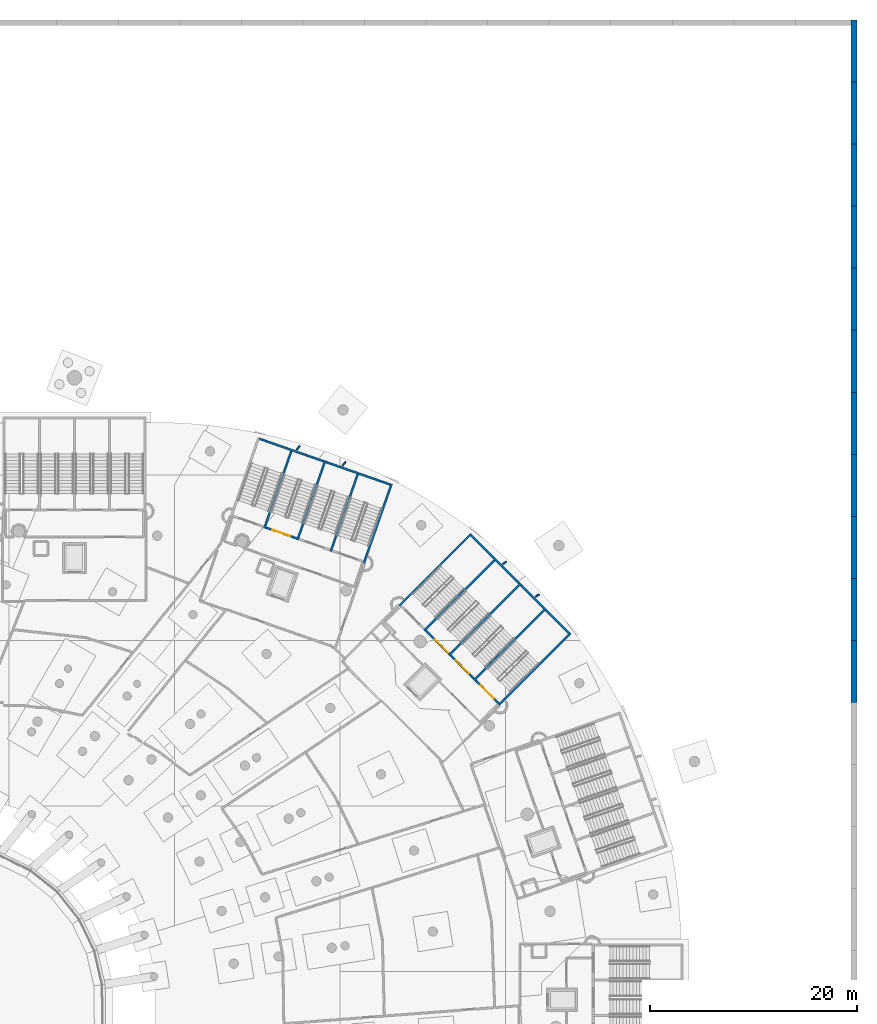
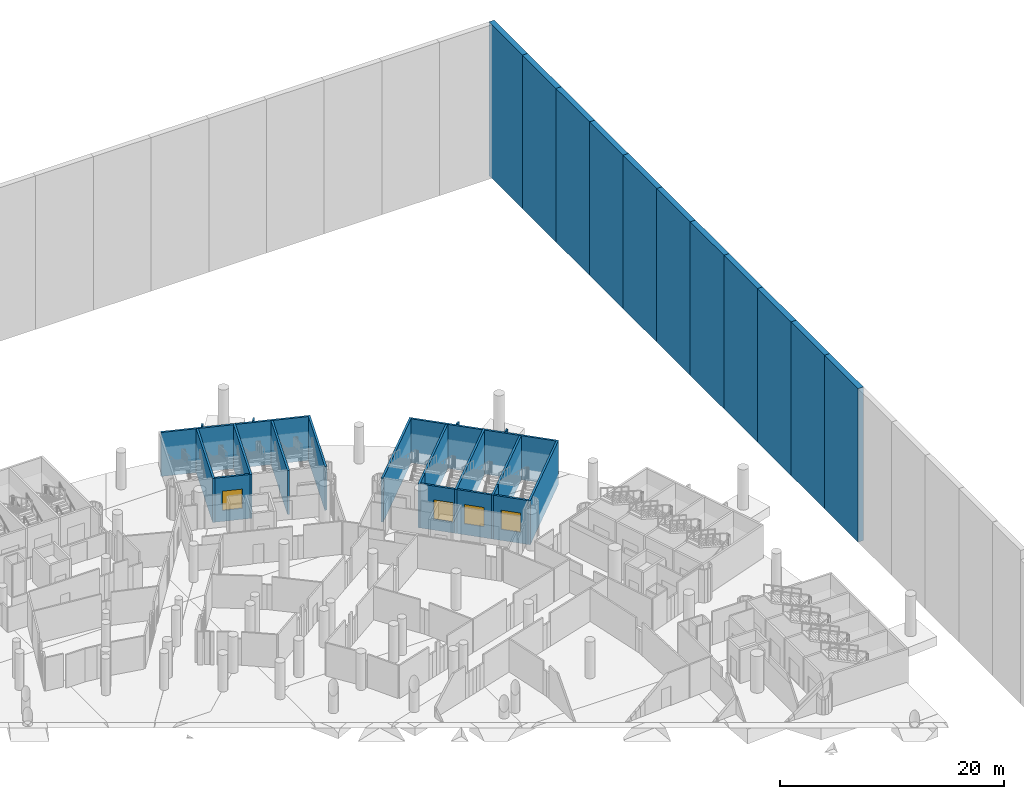
# One storey, part 93 of 142: 34 walls, 4 doors, 4 openings.
"""IFC4 building model written with IfcOpenShell, lengths in metres."""

from ifc_helpers import new_model, si_unit, direction, frame, frame_2d, origin, place, context, subcontext, project, spatial, rectangle, extrude, material, layer, layer_set, type_object, element, fill, save


model = new_model("IFC4")

# Units and contexts
model_context = context("Model", 3, precision=1e-05, world=origin(), true_north=direction((0.0, 1.0)))
body_context = subcontext(model_context, "Body", "Model", "MODEL_VIEW")
ifc_project = project(units=[si_unit("LENGTHUNIT", "METRE"), si_unit("AREAUNIT", "SQUARE_METRE"), si_unit("VOLUMEUNIT", "CUBIC_METRE"), si_unit("PLANEANGLEUNIT", "RADIAN"), si_unit("MASSUNIT", "GRAM", prefix="KILO")], contexts=[model_context])

# Site, building, storey
site_placement = place(None, origin())
site = spatial("IfcSite", under=ifc_project, at=site_placement, CompositionType="ELEMENT")
building_placement = place(site_placement, origin())
building = spatial("IfcBuilding", under=site, at=building_placement, Name="Meseta Stadium", CompositionType="ELEMENT")
storey_placement = place(building_placement, frame((0.0, 0.0, -4.0)))
storey = spatial("IfcBuildingStorey", under=building, at=storey_placement, Name="B1", CompositionType="ELEMENT", Elevation=-4.0)

# Walls
ifc_material_1 = material(Name="Concrete C40/50", Category="concrete")
ifc_layer_1 = layer(ifc_material_1, 0.199951171875)
ifc_layer_set_1 = layer_set([ifc_layer_1], Name="Core divider wall 200")
wall_type_1 = type_object("IfcWallType", Name="Core divider wall 200", PredefinedType="SHEAR", material=ifc_layer_set_1)
wall_1_placement = place(storey_placement, frame((83.90087890625, 83.092529296875, -1.199951171875), z_axis=(0.0, 0.0, 1.0), x_axis=(-0.707106781187, -0.707106781187, 0.0)))
element("IfcWall", 1, at=wall_1_placement, inside=storey, type_object=wall_type_1, Name="Core 07 B1 stair A divider wall", PredefinedType="SHEAR", context=body_context, shape_type="SweptSolid", body=[
    extrude(rectangle(XDim=8.099853515625, YDim=0.199951171875, at=frame_2d((4.0498046875, 0.0))), origin(), (0.0, 0.0, 1.0), 4.800048828125),
])
wall_2_placement = place(storey_placement, frame((78.17333984375, 77.364990234375, -1.199951171875), z_axis=(0.0, 0.0, 1.0), x_axis=(-0.707178586901, -0.707034968179, 0.0)))
element("IfcWall", 2, at=wall_2_placement, inside=storey, type_object=wall_type_1, Name="Core 07 B1 stair A divider wall", PredefinedType="SHEAR", context=body_context, shape_type="SweptSolid", body=[
    extrude(rectangle(XDim=1.699951171875, YDim=0.199951171875, at=frame_2d((0.85009765625, 0.0))), origin(), (0.0, 0.0, 1.0), 4.800048828125),
])
wall_3_placement = place(storey_placement, frame((79.092529296875, 87.90087890625, -1.199951171875), z_axis=(0.0, 0.0, 1.0), x_axis=(-0.707106781187, -0.707106781187, 0.0)))
element("IfcWall", 3, at=wall_3_placement, inside=storey, type_object=wall_type_1, Name="Core 07 B1 stair B divider wall", PredefinedType="SHEAR", context=body_context, shape_type="SweptSolid", body=[
    extrude(rectangle(XDim=8.099853515625, YDim=0.199951171875, at=frame_2d((4.0498046875, 0.0))), origin(), (0.0, 0.0, 1.0), 4.800048828125),
])
wall_4_placement = place(storey_placement, frame((73.364990234375, 82.17333984375, -1.199951171875), z_axis=(0.0, 0.0, 1.0), x_axis=(-0.707034968179, -0.707178586901, 0.0)))
element("IfcWall", 4, at=wall_4_placement, inside=storey, type_object=wall_type_1, Name="Core 07 B1 stair B divider wall", PredefinedType="SHEAR", context=body_context, shape_type="SweptSolid", body=[
    extrude(rectangle(XDim=1.699951171875, YDim=0.199951171875, at=frame_2d((0.85009765625, 0.0))), origin(), (0.0, 0.0, 1.0), 4.800048828125),
])
for number, where, z_axis, x_axis, name in (
    (5, (65.789306640625, 96.260009765625, -1.199951171875), (0.0, 0.0, 1.0), (-0.330280610426, -0.943882788474, 0.0), "Core 08 B1 stair A divider wall"),
    (6, (59.370849609375, 98.505859375, -1.199951171875), (0.0, 0.0, 1.0), (-0.330280610426, -0.943882788474, 0.0), "Core 08 B1 stair B divider wall"),
):
    element("IfcWall", number, at=place(storey_placement, frame(where, z_axis=z_axis, x_axis=x_axis)), inside=storey, type_object=wall_type_1, Name=name, PredefinedType="SHEAR", context=body_context, shape_type="SweptSolid", body=[
        extrude(rectangle(XDim=8.10009765625, YDim=0.199951171875, at=frame_2d((4.050048828125, 0.0))), origin(), (0.0, 0.0, 1.0), 4.800048828125),
    ])
ifc_material_2 = material(Name="Concrete C40/50", Category="concrete")
ifc_layer_2 = layer(ifc_material_2, 0.199951171875)
ifc_layer_set_2 = layer_set([ifc_layer_2], Name="Core shaft wall 200")
wall_type_2 = type_object("IfcWallType", Name="Core shaft wall 200", PredefinedType="SHEAR", material=ifc_layer_set_2)
for number, where, z_axis, x_axis, name in (
    (7, (86.30517578125, 80.6884765625, -1.199951171875), (0.0, 0.0, 1.0), (-0.707106781187, -0.707106781187, 0.0), "Core 07 B1 stair wall A-side"),
    (8, (81.496826171875, 85.496826171875, -1.199951171875), (0.0, 0.0, 1.0), (-0.707106781187, -0.707106781187, 0.0), "Core 07 B1 stair wall shared"),
    (9, (76.6884765625, 90.30517578125, -1.199951171875), (0.0, 0.0, 1.0), (-0.707106781187, -0.707106781187, 0.0), "Core 07 B1 stair wall B-side"),
):
    element("IfcWall", number, at=place(storey_placement, frame(where, z_axis=z_axis, x_axis=x_axis)), inside=storey, type_object=wall_type_2, Name=name, PredefinedType="SHEAR", context=body_context, shape_type="SweptSolid", body=[
        extrude(rectangle(XDim=9.800048828125, YDim=0.199951171875, at=frame_2d((4.89990234375, 0.0))), origin(), (0.0, 0.0, 1.0), 4.800048828125),
    ])
for number, where, z_axis, x_axis, name in (
    (10, (86.163818359375, 80.6884765625, -1.199951171875), (0.0, 0.0, 1.0), (-0.707125276584, 0.707088285305, 0.0), "Core 07 B1 stair A outer end wall"),
    (11, (81.355224609375, 85.496826171875, -1.199951171875), (0.0, 0.0, 1.0), (-0.707088285305, 0.707125276584, 0.0), "Core 07 B1 stair B outer end wall"),
):
    element("IfcWall", number, at=place(storey_placement, frame(where, z_axis=z_axis, x_axis=x_axis)), inside=storey, type_object=wall_type_2, Name=name, PredefinedType="SHEAR", context=body_context, shape_type="SweptSolid", body=[
        extrude(rectangle(XDim=6.599853515625, YDim=0.199951171875, at=frame_2d((3.2998046875, 0.0))), origin(), (0.0, 0.0, 1.0), 4.800048828125),
    ])

# Wall, opening, door
wall_5_placement = place(storey_placement, frame((79.37548828125, 73.900146484375, -1.199951171875), z_axis=(0.0, 0.0, 1.0), x_axis=(-0.707068634461, 0.707144925854, 0.0)))
wall_5 = element("IfcWall", 12, at=wall_5_placement, inside=storey, type_object=wall_type_2, Name="Core 07 B1 stair A1 inner end wall", PredefinedType="SHEAR", context=body_context, shape_type="SweptSolid", body=[
    extrude(rectangle(XDim=3.2001953125, YDim=0.199951171875, at=frame_2d((1.60009765625, 0.0))), origin(), (0.0, 0.0, 1.0), 4.800048828125),
])
opening_1_placement = place(wall_5_placement, frame((0.699951171875, 0.0, 1.199951171875)))
opening_1 = element("IfcOpeningElement", 13, at=opening_1_placement, cuts=wall_5, Name="Opening D103", PredefinedType="OPENING", context=body_context, shape_type="SweptSolid", body=[
    extrude(rectangle(XDim=1.800048828125, YDim=2.10009765625, at=frame_2d((0.89990234375, 1.050048828125))), frame((0.0, 0.10986328125, 0.0), z_axis=(0.0, -1.0, 0.0), x_axis=(1.0, 0.0, 0.0)), (0.0, 0.0, 1.0), 0.219970703125),
])
ifc_material_3 = material(Name="Steel", Category="steel")
door_type = type_object("IfcDoorType", Name="Stair door 1800x2100", OperationType="DOUBLE_DOOR_SINGLE_SWING", PredefinedType="DOOR", material=ifc_material_3)
door_1_placement = place(opening_1_placement, origin())
door_1 = element("IfcDoor", 14, at=door_1_placement, inside=storey, type_object=door_type, Name="Stair A1 door 07 B1", OperationType="DOUBLE_DOOR_SINGLE_SWING", OverallHeight=2.10009765625, OverallWidth=1.800048828125, PredefinedType="DOOR", context=body_context, shape_type="SweptSolid", body=[
    extrude(rectangle(XDim=1.800048828125, YDim=2.10009765625, at=frame_2d((0.89990234375, 1.050048828125))), frame((0.0, 0.02490234375, 0.0), z_axis=(0.0, -1.0, 0.0), x_axis=(1.0, 0.0, 0.0)), (0.0, 0.0, 1.0), 0.050048828125),
])
fill(opening_1, door_1)

wall_6_placement = place(storey_placement, frame((76.97119140625, 76.304443359375, -1.199951171875), z_axis=(0.0, 0.0, 1.0), x_axis=(-0.707106781187, 0.707106781187, 0.0)))
wall_6 = element("IfcWall", 15, at=wall_6_placement, inside=storey, type_object=wall_type_2, Name="Core 07 B1 stair A2 inner end wall", PredefinedType="SHEAR", context=body_context, shape_type="SweptSolid", body=[
    extrude(rectangle(XDim=3.199951171875, YDim=0.199951171875, at=frame_2d((1.60009765625, 0.0))), origin(), (0.0, 0.0, 1.0), 4.800048828125),
])
opening_2_placement = place(wall_6_placement, frame((0.699951171875, 0.0, 1.199951171875)))
opening_2 = element("IfcOpeningElement", 16, at=opening_2_placement, cuts=wall_6, Name="Opening D104", PredefinedType="OPENING", context=body_context, shape_type="SweptSolid", body=[
    extrude(rectangle(XDim=1.800048828125, YDim=2.10009765625, at=frame_2d((0.89990234375, 1.050048828125))), frame((0.0, 0.10986328125, 0.0), z_axis=(0.0, -1.0, 0.0), x_axis=(1.0, 0.0, 0.0)), (0.0, 0.0, 1.0), 0.219970703125),
])
door_2_placement = place(opening_2_placement, origin())
door_2 = element("IfcDoor", 17, at=door_2_placement, inside=storey, type_object=door_type, Name="Stair A2 door 07 B1", OperationType="DOUBLE_DOOR_SINGLE_SWING", OverallHeight=2.10009765625, OverallWidth=1.800048828125, PredefinedType="DOOR", context=body_context, shape_type="SweptSolid", body=[
    extrude(rectangle(XDim=1.800048828125, YDim=2.10009765625, at=frame_2d((0.89990234375, 1.050048828125))), frame((0.0, 0.02490234375, 0.0), z_axis=(0.0, -1.0, 0.0), x_axis=(1.0, 0.0, 0.0)), (0.0, 0.0, 1.0), 0.050048828125),
])
fill(opening_2, door_2)

wall_7_placement = place(storey_placement, frame((74.567138671875, 78.70849609375, -1.199951171875), z_axis=(0.0, 0.0, 1.0), x_axis=(-0.707106781187, 0.707106781187, 0.0)))
wall_7 = element("IfcWall", 18, at=wall_7_placement, inside=storey, type_object=wall_type_2, Name="Core 07 B1 stair B1 inner end wall", PredefinedType="SHEAR", context=body_context, shape_type="SweptSolid", body=[
    extrude(rectangle(XDim=3.199951171875, YDim=0.199951171875, at=frame_2d((1.60009765625, 0.0))), origin(), (0.0, 0.0, 1.0), 4.800048828125),
])
opening_3_placement = place(wall_7_placement, frame((0.14990234375, 0.0, 1.199951171875)))
opening_3 = element("IfcOpeningElement", 19, at=opening_3_placement, cuts=wall_7, Name="Opening D105", PredefinedType="OPENING", context=body_context, shape_type="SweptSolid", body=[
    extrude(rectangle(XDim=1.800048828125, YDim=2.10009765625, at=frame_2d((0.89990234375, 1.050048828125))), frame((0.0, 0.10986328125, 0.0), z_axis=(0.0, -1.0, 0.0), x_axis=(1.0, 0.0, 0.0)), (0.0, 0.0, 1.0), 0.219970703125),
])
door_3_placement = place(opening_3_placement, origin())
door_3 = element("IfcDoor", 20, at=door_3_placement, inside=storey, type_object=door_type, Name="Stair B1 door 07 B1", OperationType="DOUBLE_DOOR_SINGLE_SWING", OverallHeight=2.10009765625, OverallWidth=1.800048828125, PredefinedType="DOOR", context=body_context, shape_type="SweptSolid", body=[
    extrude(rectangle(XDim=1.800048828125, YDim=2.10009765625, at=frame_2d((0.89990234375, 1.050048828125))), frame((0.0, 0.02490234375, 0.0), z_axis=(0.0, -1.0, 0.0), x_axis=(1.0, 0.0, 0.0)), (0.0, 0.0, 1.0), 0.050048828125),
])
fill(opening_3, door_3)

# Walls
for number, where, z_axis, x_axis, name in (
    (21, (68.998291015625, 95.136962890625, -1.199951171875), (0.0, 0.0, 1.0), (-0.330263153216, -0.943888896866, 0.0), "Core 08 B1 stair wall A-side"),
    (22, (62.580078125, 97.3828125, -1.199951171875), (0.0, 0.0, 1.0), (-0.330290006891, -0.943879500438, 0.0), "Core 08 B1 stair wall shared"),
):
    element("IfcWall", number, at=place(storey_placement, frame(where, z_axis=z_axis, x_axis=x_axis)), inside=storey, type_object=wall_type_2, Name=name, PredefinedType="SHEAR", context=body_context, shape_type="SweptSolid", body=[
        extrude(rectangle(XDim=8.099853515625, YDim=0.199951171875, at=frame_2d((4.0498046875, 0.0))), origin(), (0.0, 0.0, 1.0), 4.800048828125),
    ])
for number, where, z_axis, x_axis, name in (
    (23, (68.87109375, 95.07568359375, -1.199951171875), (0.0, 0.0, 1.0), (-0.943880844925, 0.330286164688, 0.0), "Core 08 B1 stair A outer end wall"),
    (24, (62.45263671875, 97.321533203125, -1.199951171875), (0.0, 0.0, 1.0), (-0.943880844925, 0.330286164688, 0.0), "Core 08 B1 stair B outer end wall"),
):
    element("IfcWall", number, at=place(storey_placement, frame(where, z_axis=z_axis, x_axis=x_axis)), inside=storey, type_object=wall_type_2, Name=name, PredefinedType="SHEAR", context=body_context, shape_type="SweptSolid", body=[
        extrude(rectangle(XDim=6.60009765625, YDim=0.199951171875, at=frame_2d((3.300048828125, 0.0))), origin(), (0.0, 0.0, 1.0), 4.800048828125),
    ])

# Wall, opening, door
wall_8_placement = place(storey_placement, frame((59.843505859375, 89.864990234375, -1.199951171875), z_axis=(0.0, 0.0, 1.0), x_axis=(-0.943886898693, 0.330268863922, 0.0)))
wall_8 = element("IfcWall", 25, at=wall_8_placement, inside=storey, type_object=wall_type_2, Name="Core 08 B1 stair B1 inner end wall", PredefinedType="SHEAR", context=body_context, shape_type="SweptSolid", body=[
    extrude(rectangle(XDim=3.2001953125, YDim=0.199951171875, at=frame_2d((1.60009765625, 0.0))), origin(), (0.0, 0.0, 1.0), 4.800048828125),
])
opening_4_placement = place(wall_8_placement, frame((0.699951171875, 0.0, 1.199951171875)))
opening_4 = element("IfcOpeningElement", 26, at=opening_4_placement, cuts=wall_8, Name="Opening D117", PredefinedType="OPENING", context=body_context, shape_type="SweptSolid", body=[
    extrude(rectangle(XDim=1.800048828125, YDim=2.10009765625, at=frame_2d((0.89990234375, 1.050048828125))), frame((0.0, 0.10986328125, 0.0), z_axis=(0.0, -1.0, 0.0), x_axis=(1.0, 0.0, 0.0)), (0.0, 0.0, 1.0), 0.219970703125),
])
door_4_placement = place(opening_4_placement, origin())
door_4 = element("IfcDoor", 27, at=door_4_placement, inside=storey, type_object=door_type, Name="Stair B1 door 08 B1", OperationType="DOUBLE_DOOR_SINGLE_SWING", OverallHeight=2.10009765625, OverallWidth=1.800048828125, PredefinedType="DOOR", context=body_context, shape_type="SweptSolid", body=[
    extrude(rectangle(XDim=1.800048828125, YDim=2.10009765625, at=frame_2d((0.89990234375, 1.050048828125))), frame((0.0, 0.02490234375, 0.0), z_axis=(0.0, -1.0, 0.0), x_axis=(1.0, 0.0, 0.0)), (0.0, 0.0, 1.0), 0.050048828125),
])
fill(opening_4, door_4)

# Walls
ifc_material_4 = material(Name="Masonry blockwork", Category="masonry")
ifc_layer_3 = layer(ifc_material_4, 0.14990234375)
ifc_layer_set_3 = layer_set([ifc_layer_3], Name="Partition 150")
wall_type_3 = type_object("IfcWallType", Name="Partition 150", PredefinedType="PARTITIONING", material=ifc_layer_set_3)
wall_9_placement = place(storey_placement, frame((82.9189453125, 84.216064453125, 0.0), z_axis=(0.0, 0.0, 1.0), x_axis=(0.828717044538, 0.55966781227, 0.0)))
element("IfcWall", 28, at=wall_9_placement, inside=storey, type_object=wall_type_3, Name="Partition B1 B1-cell05-3-0", PredefinedType="PARTITIONING", context=body_context, shape_type="SweptSolid", body=[
    extrude(rectangle(XDim=0.43017578125, YDim=0.14990234375, at=frame_2d((0.215087890625, 0.0))), origin(), (0.0, 0.0, 1.0), 3.60009765625),
])
wall_10_placement = place(storey_placement, frame((64.24560546875, 96.906005859375, 0.0), z_axis=(0.0, 0.0, 1.0), x_axis=(0.627771820286, 0.778397418839, 0.0)))
element("IfcWall", 29, at=wall_10_placement, inside=storey, type_object=wall_type_3, Name="Partition B1 B1-cell06-3-0", PredefinedType="PARTITIONING", context=body_context, shape_type="SweptSolid", body=[
    extrude(rectangle(XDim=0.49267578125, YDim=0.14990234375, at=frame_2d((0.246337890625, 0.0))), origin(), (0.0, 0.0, 1.0), 3.60009765625),
])
wall_11_placement = place(storey_placement, frame((80.09130859375, 87.615966796875, 0.0), z_axis=(0.0, 0.0, 1.0), x_axis=(-0.828663224866, -0.559747496425, 0.0)))
element("IfcWall", 30, at=wall_11_placement, inside=storey, type_object=wall_type_3, Name="Partition B1 B1-cell06-3-0", PredefinedType="PARTITIONING", context=body_context, shape_type="SweptSolid", body=[
    extrude(rectangle(XDim=0.412109375, YDim=0.14990234375, at=frame_2d((0.2060546875, 0.0))), origin(), (0.0, 0.0, 1.0), 3.60009765625),
])
wall_12_placement = place(storey_placement, frame((60.12353515625, 98.8046875, 0.0), z_axis=(0.0, 0.0, 1.0), x_axis=(-0.628076009292, -0.778151994505, 0.0)))
element("IfcWall", 31, at=wall_12_placement, inside=storey, type_object=wall_type_3, Name="Partition B1 B1-cell07-3-0", PredefinedType="PARTITIONING", context=body_context, shape_type="SweptSolid", body=[
    extrude(rectangle(XDim=0.45703125, YDim=0.14990234375, at=frame_2d((0.228515625, 0.0))), origin(), (0.0, 0.0, 1.0), 3.60009765625),
])
ifc_material_5 = material(Name="Concrete C30/37", Category="concrete")
ifc_layer_4 = layer(ifc_material_5, 0.550048828125)
ifc_layer_set_4 = layer_set([ifc_layer_4], Name="Site retaining wall 550")
wall_type_4 = type_object("IfcWallType", Name="Site retaining wall 550", PredefinedType="SOLIDWALL", material=ifc_layer_set_4)
for number, where, z_axis, x_axis, name in (
    (32, (113.72509765625, 73.999755859375, -13.0), (0.0, 0.0, 1.0), (0.0, 1.0, 0.0), "Site retaining wall 91"),
    (33, (113.72509765625, 79.999755859375, -13.0), (0.0, 0.0, 1.0), (0.0, 1.0, 0.0), "Site retaining wall 92"),
    (34, (113.72509765625, 85.999755859375, -13.0), (0.0, 0.0, 1.0), (0.0, 1.0, 0.0), "Site retaining wall 93"),
    (35, (113.72509765625, 91.999755859375, -13.0), (0.0, 0.0, 1.0), (0.0, 1.0, 0.0), "Site retaining wall 94"),
):
    element("IfcWall", number, at=place(storey_placement, frame(where, z_axis=z_axis, x_axis=x_axis)), inside=storey, type_object=wall_type_4, Name=name, PredefinedType="SOLIDWALL", context=body_context, shape_type="SweptSolid", body=[
        extrude(rectangle(XDim=6.0, YDim=0.550048828125, at=frame_2d((3.0, 0.0))), origin(), (0.0, 0.0, 1.0), 16.75),
    ])
wall_13_placement = place(storey_placement, frame((113.72509765625, 97.999755859375, -13.0), z_axis=(0.0, 0.0, 1.0), x_axis=(0.0, 1.0, 0.0)))
element("IfcWall", 36, at=wall_13_placement, inside=storey, type_object=wall_type_4, Name="Site retaining wall 95", PredefinedType="SOLIDWALL", context=body_context, shape_type="SweptSolid", body=[
    extrude(rectangle(XDim=5.999755859375, YDim=0.550048828125, at=frame_2d((3.0, 0.0))), origin(), (0.0, 0.0, 1.0), 16.75),
])
for number, where, z_axis, x_axis, name in (
    (37, (113.72509765625, 103.99951171875, -13.0), (0.0, 0.0, 1.0), (0.0, 1.0, 0.0), "Site retaining wall 96"),
    (38, (113.72509765625, 109.99951171875, -13.0), (0.0, 0.0, 1.0), (0.0, 1.0, 0.0), "Site retaining wall 97"),
    (39, (113.72509765625, 115.99951171875, -13.0), (0.0, 0.0, 1.0), (0.0, 1.0, 0.0), "Site retaining wall 98"),
    (40, (113.72509765625, 121.99951171875, -13.0), (0.0, 0.0, 1.0), (0.0, 1.0, 0.0), "Site retaining wall 99"),
    (41, (113.72509765625, 127.99951171875, -13.0), (0.0, 0.0, 1.0), (0.0, 1.0, 0.0), "Site retaining wall 100"),
    (42, (113.72509765625, 133.99951171875, -13.0), (0.0, 0.0, 1.0), (0.0, 1.0, 0.0), "Site retaining wall 101"),
):
    element("IfcWall", number, at=place(storey_placement, frame(where, z_axis=z_axis, x_axis=x_axis)), inside=storey, type_object=wall_type_4, Name=name, PredefinedType="SOLIDWALL", context=body_context, shape_type="SweptSolid", body=[
        extrude(rectangle(XDim=6.0, YDim=0.550048828125, at=frame_2d((3.0, 0.0))), origin(), (0.0, 0.0, 1.0), 16.75),
    ])

save(model, "model.ifc")
